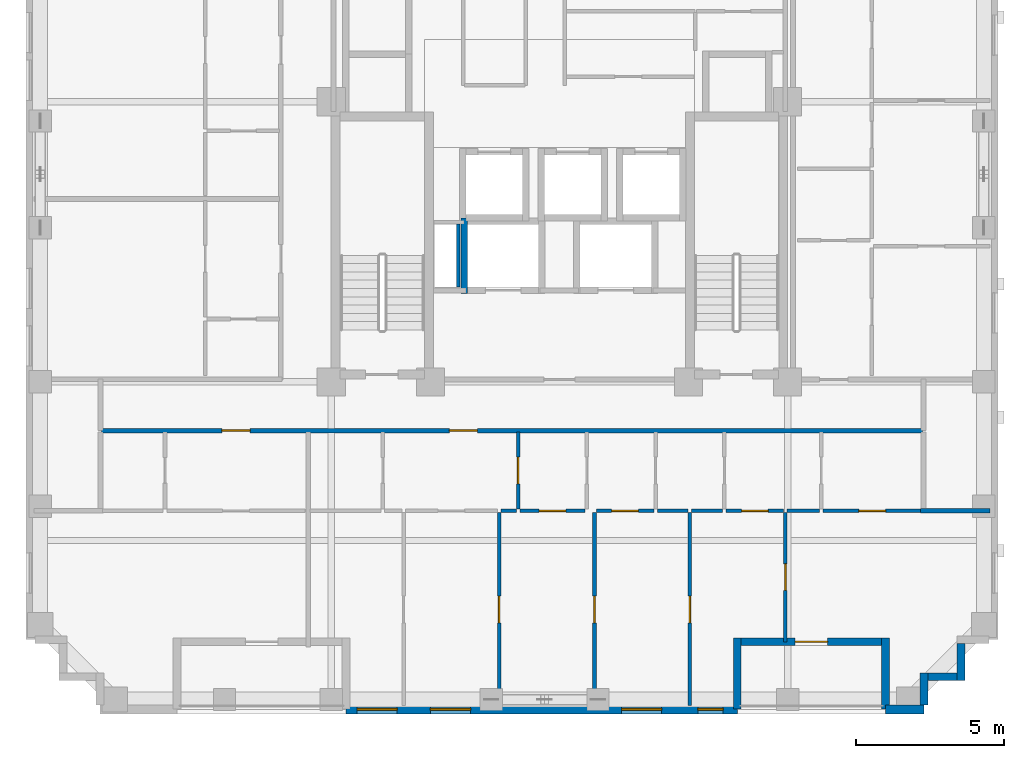
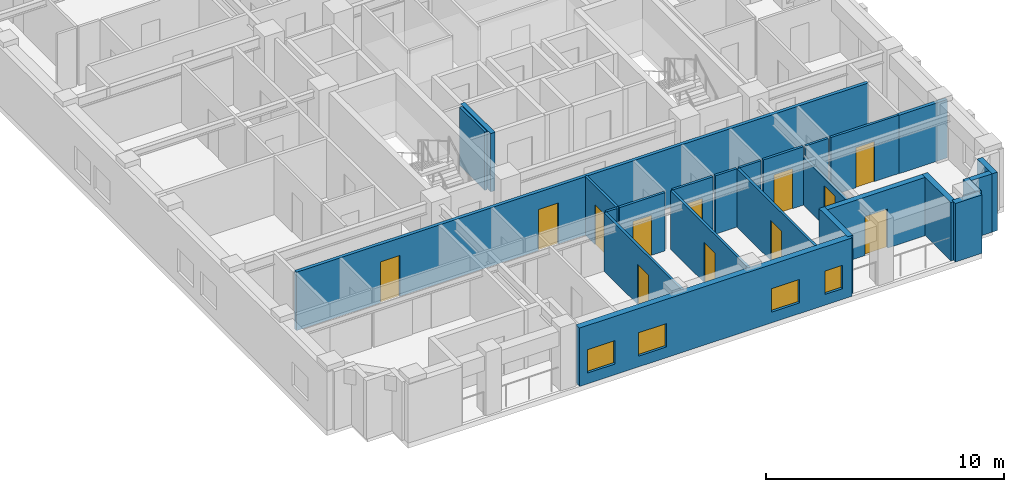
# One storey, part 3 of 11: 25 walls, 12 doors, 4 windows, 16 openings.
"""IFC4 building model written with IfcOpenShell, lengths in metres."""

from ifc_helpers import new_model, si_unit, derived_unit, direction, frame, frame_2d, origin, place, context, subcontext, project, spatial, rectangle, extrude, material, layer, layer_set, type_object, element, fill, save


model = new_model("IFC4")

# Units and contexts
model_context = context("Model", 3, precision=1e-05, world=origin(), true_north=direction((0.0, 1.0)))
body_context = subcontext(model_context, "Body", "Model", "MODEL_VIEW")
ifc_project = project(units=[si_unit("LENGTHUNIT", "METRE"), si_unit("AREAUNIT", "SQUARE_METRE"), si_unit("VOLUMEUNIT", "CUBIC_METRE"), si_unit("PLANEANGLEUNIT", "RADIAN"), si_unit("MASSUNIT", "GRAM", prefix="KILO"), derived_unit("THERMALTRANSMITTANCEUNIT", [(si_unit("MASSUNIT", "GRAM", prefix="KILO"), 1), (si_unit("TIMEUNIT", "SECOND"), -3), (si_unit("THERMODYNAMICTEMPERATUREUNIT", "KELVIN"), -1)])], contexts=[model_context])

# Site, building, storey
site_placement = place(None, origin())
site = spatial("IfcSite", under=ifc_project, at=site_placement, CompositionType="ELEMENT")
building_placement = place(site_placement, origin())
building = spatial("IfcBuilding", under=site, at=building_placement, Name="Korrvale Station Residences", CompositionType="ELEMENT")
storey_placement = place(building_placement, frame((0.0, 0.0, 140.64990234375)))
storey = spatial("IfcBuildingStorey", under=building, at=storey_placement, Name="L40", CompositionType="ELEMENT", Elevation=140.64990234375)

# Wall
ifc_material_1 = material(Name="Precast concrete C45/55", Category="concrete")
ifc_layer_1 = layer(ifc_material_1, 0.260009765625, Name="Precast concrete C45/55")
ifc_layer_set_1 = layer_set([ifc_layer_1], Name="Precast concrete C45/55")
wall_type_1 = type_object("IfcWallType", Name="WAL-EXT-LOG260", PredefinedType="SOLIDWALL", material=ifc_layer_set_1)
wall_1_placement = place(storey_placement, frame((36.5, 3.9599609375, 0.0), z_axis=(0.0, 0.0, 1.0), x_axis=(0.0, 1.0, 0.0)))
element("IfcWall", 1, at=wall_1_placement, inside=storey, type_object=wall_type_1, Name="L40 Recessed Loggia Wall BAL-L40-S2-L", PredefinedType="SOLIDWALL", context=body_context, shape_type="SweptSolid", body=[
    extrude(rectangle(XDim=2.400146484375, YDim=0.260009765625, at=frame_2d((1.2001953125, 0.0))), origin(), (0.0, 0.0, 1.0), 2.989990234375),
])

# Wall, opening, door
wall_2_placement = place(storey_placement, frame((36.365966796875, 6.22998046875, 0.0), z_axis=(0.0, 0.0, 1.0), x_axis=(-1.0, 0.0, 0.0)))
wall_2 = element("IfcWall", 2, at=wall_2_placement, inside=storey, type_object=wall_type_1, Name="L40 Recessed Loggia Wall BAL-L40-S2-B", PredefinedType="SOLIDWALL", context=body_context, shape_type="SweptSolid", body=[
    extrude(rectangle(XDim=4.73193359375, YDim=0.260009765625, at=frame_2d((2.365966796875, 0.0))), origin(), (0.0, 0.0, 1.0), 2.989990234375),
])
opening_1_placement = place(wall_2_placement, frame((1.81591796875, 0.0, 0.0)))
opening_1 = element("IfcOpeningElement", 3, at=opening_1_placement, cuts=wall_2, Name="Opening BD-01", PredefinedType="OPENING", context=body_context, shape_type="SweptSolid", body=[
    extrude(rectangle(XDim=1.10009765625, YDim=2.0, at=frame_2d((0.550048828125, 1.0))), frame((0.0, 0.14013671875, 0.0), z_axis=(0.0, -1.0, 0.0), x_axis=(1.0, 0.0, 0.0)), (0.0, 0.0, 1.0), 0.280029296875),
])
ifc_material_2 = material(Name="Exterior thermally broken aluminium glazed balcony door", Category="aluminium")
door_type_1 = type_object("IfcDoorType", Name="DR-EXT-BAL", OperationType="NOTDEFINED", PredefinedType="DOOR", material=ifc_material_2)
door_1_placement = place(opening_1_placement, origin())
door_1 = element("IfcDoor", 4, at=door_1_placement, inside=storey, type_object=door_type_1, Name="L40 Loggia Balcony Door BAL-L40-S2", OperationType="SINGLE_SWING_RIGHT", OverallHeight=2.0, OverallWidth=1.10009765625, PredefinedType="DOOR", context=body_context, shape_type="SweptSolid", body=[
    extrude(rectangle(XDim=1.10009765625, YDim=2.0, at=frame_2d((0.550048828125, 1.0))), frame((0.0, 0.02490234375, 0.0), z_axis=(0.0, -1.0, 0.0), x_axis=(1.0, 0.0, 0.0)), (0.0, 0.0, 1.0), 0.050048828125),
])
fill(opening_1, door_1)

# Walls
wall_3_placement = place(storey_placement, frame((31.5, 6.360107421875, 0.0), z_axis=(0.0, 0.0, 1.0), x_axis=(0.0, -1.0, 0.0)))
element("IfcWall", 5, at=wall_3_placement, inside=storey, type_object=wall_type_1, Name="L40 Recessed Loggia Wall BAL-L40-S2-R", PredefinedType="SOLIDWALL", context=body_context, shape_type="SweptSolid", body=[
    extrude(rectangle(XDim=2.400146484375, YDim=0.260009765625, at=frame_2d((1.2001953125, 0.0))), origin(), (0.0, 0.0, 1.0), 2.989990234375),
])
wall_4_placement = place(storey_placement, frame((39.050048828125, 6.16796875, 0.0), z_axis=(0.0, 0.0, 1.0), x_axis=(0.0, -1.0, 0.0)))
element("IfcWall", 6, at=wall_4_placement, inside=storey, type_object=wall_type_1, Name="L40 Serrated Corner Precast Step SE-2", PredefinedType="SOLIDWALL", context=body_context, shape_type="SweptSolid", body=[
    extrude(rectangle(XDim=1.248046875, YDim=0.260009765625, at=frame_2d((0.6240234375, 0.0))), origin(), (0.0, 0.0, 1.0), 2.989990234375),
])
wall_5_placement = place(storey_placement, frame((38.91796875, 5.050048828125, 0.0), z_axis=(0.0, 0.0, 1.0), x_axis=(-1.0, 0.0, 0.0)))
element("IfcWall", 7, at=wall_5_placement, inside=storey, type_object=wall_type_1, Name="L40 Serrated Corner Precast Step SE-3", PredefinedType="SOLIDWALL", context=body_context, shape_type="SweptSolid", body=[
    extrude(rectangle(XDim=0.986083984375, YDim=0.260009765625, at=frame_2d((0.4931640625, 0.0))), origin(), (0.0, 0.0, 1.0), 2.989990234375),
])
wall_6_placement = place(storey_placement, frame((37.800048828125, 5.179931640625, 0.0), z_axis=(0.0, 0.0, 1.0), x_axis=(0.0, -1.0, 0.0)))
element("IfcWall", 8, at=wall_6_placement, inside=storey, type_object=wall_type_1, Name="L40 Serrated Corner Precast Step SE-4", PredefinedType="SOLIDWALL", context=body_context, shape_type="SweptSolid", body=[
    extrude(rectangle(XDim=1.077880859375, YDim=0.260009765625, at=frame_2d((0.5390625, 0.0))), origin(), (0.0, 0.0, 1.0), 2.989990234375),
])
ifc_layer_2 = layer(ifc_material_1, 0.300048828125, Name="Precast concrete C45/55")
ifc_layer_set_2 = layer_set([ifc_layer_2], Name="Precast concrete C45/55")
wall_type_2 = type_object("IfcWallType", Name="WAL-EXT-PC300", PredefinedType="SOLIDWALL", material=ifc_layer_set_2)
wall_7_placement = place(storey_placement, frame((37.800048828125, 3.949951171875, 0.0), z_axis=(0.0, 0.0, 1.0), x_axis=(-1.0, 0.0, 0.0)))
element("IfcWall", 9, at=wall_7_placement, inside=storey, type_object=wall_type_2, Name="L40 South Exterior Precast Wall 1", PredefinedType="SOLIDWALL", context=body_context, shape_type="SweptSolid", body=[
    extrude(rectangle(XDim=1.300048828125, YDim=0.300048828125, at=frame_2d((0.64990234375, 0.0))), origin(), (0.0, 0.0, 1.0), 2.989990234375),
])

# Wall, openings, windows
wall_8_placement = place(storey_placement, frame((31.5, 3.949951171875, 0.0), z_axis=(0.0, 0.0, 1.0), x_axis=(-1.0, 0.0, 0.0)))
wall_8 = element("IfcWall", 10, at=wall_8_placement, inside=storey, type_object=wall_type_2, Name="L40 South Exterior Precast Wall 2", PredefinedType="SOLIDWALL", context=body_context, shape_type="SweptSolid", body=[
    extrude(rectangle(XDim=13.199951171875, YDim=0.300048828125, at=frame_2d((6.60009765625, 0.0))), origin(), (0.0, 0.0, 1.0), 2.989990234375),
])
opening_2_placement = place(wall_8_placement, frame((11.47607421875, 0.0, 0.550048828125)))
opening_2 = element("IfcOpeningElement", 11, at=opening_2_placement, cuts=wall_8, Name="Opening W-10", PredefinedType="OPENING", context=body_context, shape_type="SweptSolid", body=[
    extrude(rectangle(XDim=1.35009765625, YDim=1.199951171875, at=frame_2d((0.675048828125, 0.60009765625))), frame((0.0, 0.16015625, 0.0), z_axis=(0.0, -1.0, 0.0), x_axis=(1.0, 0.0, 0.0)), (0.0, 0.0, 1.0), 0.320068359375),
])
opening_3_placement = place(wall_8_placement, frame((9.0, 0.0, 0.550048828125)))
opening_3 = element("IfcOpeningElement", 12, at=opening_3_placement, cuts=wall_8, Name="Opening W-10", PredefinedType="OPENING", context=body_context, shape_type="SweptSolid", body=[
    extrude(rectangle(XDim=1.35009765625, YDim=1.199951171875, at=frame_2d((0.675048828125, 0.60009765625))), frame((0.0, 0.16015625, 0.0), z_axis=(0.0, -1.0, 0.0), x_axis=(1.0, 0.0, 0.0)), (0.0, 0.0, 1.0), 0.320068359375),
])
opening_4_placement = place(wall_8_placement, frame((2.550048828125, 0.0, 0.550048828125)))
opening_4 = element("IfcOpeningElement", 13, at=opening_4_placement, cuts=wall_8, Name="Opening W-10", PredefinedType="OPENING", context=body_context, shape_type="SweptSolid", body=[
    extrude(rectangle(XDim=1.35009765625, YDim=1.199951171875, at=frame_2d((0.675048828125, 0.60009765625))), frame((0.0, 0.16015625, 0.0), z_axis=(0.0, -1.0, 0.0), x_axis=(1.0, 0.0, 0.0)), (0.0, 0.0, 1.0), 0.320068359375),
])
opening_5_placement = place(wall_8_placement, frame((0.47509765625, 0.0, 0.550048828125)))
opening_5 = element("IfcOpeningElement", 14, at=opening_5_placement, cuts=wall_8, Name="Opening W-11", PredefinedType="OPENING", context=body_context, shape_type="SweptSolid", body=[
    extrude(rectangle(XDim=0.85009765625, YDim=1.199951171875, at=frame_2d((0.425048828125, 0.60009765625))), frame((0.0, 0.16015625, 0.0), z_axis=(0.0, -1.0, 0.0), x_axis=(1.0, 0.0, 0.0)), (0.0, 0.0, 1.0), 0.320068359375),
])
ifc_material_3 = material(Name="Thermally broken aluminium frame with triple low-e glazing", Category="aluminium")
window_type_1 = type_object("IfcWindowType", Name="WIN-W10", PartitioningType="SINGLE_PANEL", PredefinedType="WINDOW", material=ifc_material_3)
window_1_placement = place(opening_2_placement, origin())
window_1 = element("IfcWindow", 15, at=window_1_placement, inside=storey, type_object=window_type_1, Name="L40 Punched Window 02", OverallHeight=1.199951171875, OverallWidth=1.35009765625, PartitioningType="SINGLE_PANEL", PredefinedType="WINDOW", context=body_context, shape_type="SweptSolid", body=[
    extrude(rectangle(XDim=1.35009765625, YDim=1.199951171875, at=frame_2d((0.675048828125, 0.60009765625))), frame((0.0, 0.030029296875, 0.0), z_axis=(0.0, -1.0, 0.0), x_axis=(1.0, 0.0, 0.0)), (0.0, 0.0, 1.0), 0.06005859375),
])
fill(opening_2, window_1)
window_2_placement = place(opening_3_placement, origin())
window_2 = element("IfcWindow", 16, at=window_2_placement, inside=storey, type_object=window_type_1, Name="L40 Punched Window 03", OverallHeight=1.199951171875, OverallWidth=1.35009765625, PartitioningType="SINGLE_PANEL", PredefinedType="WINDOW", context=body_context, shape_type="SweptSolid", body=[
    extrude(rectangle(XDim=1.35009765625, YDim=1.199951171875, at=frame_2d((0.675048828125, 0.60009765625))), frame((0.0, 0.030029296875, 0.0), z_axis=(0.0, -1.0, 0.0), x_axis=(1.0, 0.0, 0.0)), (0.0, 0.0, 1.0), 0.06005859375),
])
fill(opening_3, window_2)
window_3_placement = place(opening_4_placement, origin())
window_3 = element("IfcWindow", 17, at=window_3_placement, inside=storey, type_object=window_type_1, Name="L40 Punched Window 04", OverallHeight=1.199951171875, OverallWidth=1.35009765625, PartitioningType="SINGLE_PANEL", PredefinedType="WINDOW", context=body_context, shape_type="SweptSolid", body=[
    extrude(rectangle(XDim=1.35009765625, YDim=1.199951171875, at=frame_2d((0.675048828125, 0.60009765625))), frame((0.0, 0.030029296875, 0.0), z_axis=(0.0, -1.0, 0.0), x_axis=(1.0, 0.0, 0.0)), (0.0, 0.0, 1.0), 0.06005859375),
])
fill(opening_4, window_3)
window_type_2 = type_object("IfcWindowType", Name="WIN-W11", PartitioningType="SINGLE_PANEL", PredefinedType="WINDOW", material=ifc_material_3)
window_4_placement = place(opening_5_placement, origin())
window_4 = element("IfcWindow", 18, at=window_4_placement, inside=storey, type_object=window_type_2, Name="L40 Punched Window 05", OverallHeight=1.199951171875, OverallWidth=0.85009765625, PartitioningType="SINGLE_PANEL", PredefinedType="WINDOW", context=body_context, shape_type="SweptSolid", body=[
    extrude(rectangle(XDim=0.85009765625, YDim=1.199951171875, at=frame_2d((0.425048828125, 0.60009765625))), frame((0.0, 0.030029296875, 0.0), z_axis=(0.0, -1.0, 0.0), x_axis=(1.0, 0.0, 0.0)), (0.0, 0.0, 1.0), 0.06005859375),
])
fill(opening_5, window_4)

# Wall
ifc_material_4 = material(Name="Acoustic steel-stud gypsum board partition", Category="steel")
ifc_layer_3 = layer(ifc_material_4, 0.1201171875, Name="Acoustic steel-stud gypsum board partition")
ifc_layer_set_3 = layer_set([ifc_layer_3], Name="Acoustic steel-stud gypsum board partition")
wall_type_3 = type_object("IfcWallType", Name="WAL-PART-125", PredefinedType="PARTITIONING", material=ifc_layer_set_3)
wall_9_placement = place(storey_placement, frame((22.080078125, 18.199951171875, 0.0), z_axis=(0.0, 0.0, 1.0), x_axis=(0.0, 1.0, 0.0)))
element("IfcWall", 19, at=wall_9_placement, inside=storey, type_object=wall_type_3, Name="L40 Core Partition CW-RSWT", PredefinedType="PARTITIONING", context=body_context, shape_type="SweptSolid", body=[
    extrude(rectangle(XDim=2.1201171875, YDim=0.1201171875, at=frame_2d((1.06005859375, 0.0))), origin(), (0.0, 0.0, 1.0), 2.989990234375),
])

# Wall, opening, door
wall_10_placement = place(storey_placement, frame((24.10400390625, 10.7099609375, 0.0), z_axis=(0.0, 0.0, 1.0), x_axis=(0.0, 1.0, 0.0)))
wall_10 = element("IfcWall", 20, at=wall_10_placement, inside=storey, type_object=wall_type_3, Name="L40 Suite Partition U02-V12", PredefinedType="PARTITIONING", context=body_context, shape_type="SweptSolid", body=[
    extrude(rectangle(XDim=2.60009765625, YDim=0.1201171875, at=frame_2d((1.300048828125, 0.0))), origin(), (0.0, 0.0, 1.0), 2.989990234375),
])
opening_6_placement = place(wall_10_placement, frame((0.85009765625, 0.0, 0.0)))
opening_6 = element("IfcOpeningElement", 21, at=opening_6_placement, cuts=wall_10, Name="Opening DI-900", PredefinedType="OPENING", context=body_context, shape_type="SweptSolid", body=[
    extrude(rectangle(XDim=0.89990234375, YDim=2.050048828125, at=frame_2d((0.449951171875, 1.02490234375))), frame((0.0, 0.070068359375, 0.0), z_axis=(0.0, -1.0, 0.0), x_axis=(1.0, 0.0, 0.0)), (0.0, 0.0, 1.0), 0.14013671875),
])
ifc_material_5 = material(Name="Painted solid-core timber interior room door", Category="wood")
door_type_2 = type_object("IfcDoorType", Name="DR-INT-900", OperationType="NOTDEFINED", PredefinedType="DOOR", material=ifc_material_5)
door_2_placement = place(opening_6_placement, origin())
door_2 = element("IfcDoor", 22, at=door_2_placement, inside=storey, type_object=door_type_2, Name="L40 Studio Apartment L40-U02 Kitchen Door", OperationType="SINGLE_SWING_LEFT", OverallHeight=2.050048828125, OverallWidth=0.89990234375, PredefinedType="DOOR", context=body_context, shape_type="SweptSolid", body=[
    extrude(rectangle(XDim=0.89990234375, YDim=2.050048828125, at=frame_2d((0.449951171875, 1.02490234375))), frame((0.0, 0.02490234375, 0.0), z_axis=(0.0, -1.0, 0.0), x_axis=(1.0, 0.0, 0.0)), (0.0, 0.0, 1.0), 0.050048828125),
])
fill(opening_6, door_2)

# Wall
wall_11_placement = place(storey_placement, frame((23.52392578125, 10.64990234375, 0.0), z_axis=(0.0, 0.0, 1.0), x_axis=(1.0, 0.0, 0.0)))
element("IfcWall", 23, at=wall_11_placement, inside=storey, type_object=wall_type_3, Name="L40 Suite Partition U02-H19", PredefinedType="PARTITIONING", context=body_context, shape_type="SweptSolid", body=[
    extrude(rectangle(XDim=0.52001953125, YDim=0.1201171875, at=frame_2d((0.260009765625, 0.0))), origin(), (0.0, 0.0, 1.0), 2.989990234375),
])

# Wall, opening, door
wall_12_placement = place(storey_placement, frame((24.1640625, 10.64990234375, 0.0), z_axis=(0.0, 0.0, 1.0), x_axis=(1.0, 0.0, 0.0)))
wall_12 = element("IfcWall", 24, at=wall_12_placement, inside=storey, type_object=wall_type_3, Name="L40 Suite Partition U02-H29", PredefinedType="PARTITIONING", context=body_context, shape_type="SweptSolid", body=[
    extrude(rectangle(XDim=2.199951171875, YDim=0.1201171875, at=frame_2d((1.10009765625, 0.0))), origin(), (0.0, 0.0, 1.0), 2.989990234375),
])
opening_7_placement = place(wall_12_placement, frame((0.64990234375, 0.0, 0.0)))
opening_7 = element("IfcOpeningElement", 25, at=opening_7_placement, cuts=wall_12, Name="Opening DI-900", PredefinedType="OPENING", context=body_context, shape_type="SweptSolid", body=[
    extrude(rectangle(XDim=0.89990234375, YDim=2.050048828125, at=frame_2d((0.449951171875, 1.02490234375))), frame((0.0, 0.070068359375, 0.0), z_axis=(0.0, -1.0, 0.0), x_axis=(1.0, 0.0, 0.0)), (0.0, 0.0, 1.0), 0.14013671875),
])
door_3_placement = place(opening_7_placement, origin())
door_3 = element("IfcDoor", 26, at=door_3_placement, inside=storey, type_object=door_type_2, Name="L40 Studio Apartment L40-U02 Wardrobe Storage Room Door", OperationType="SINGLE_SWING_RIGHT", OverallHeight=2.050048828125, OverallWidth=0.89990234375, PredefinedType="DOOR", context=body_context, shape_type="SweptSolid", body=[
    extrude(rectangle(XDim=0.89990234375, YDim=2.050048828125, at=frame_2d((0.449951171875, 1.02490234375))), frame((0.0, 0.02490234375, 0.0), z_axis=(0.0, -1.0, 0.0), x_axis=(1.0, 0.0, 0.0)), (0.0, 0.0, 1.0), 0.050048828125),
])
fill(opening_7, door_3)

wall_13_placement = place(storey_placement, frame((26.743896484375, 10.64990234375, 0.0), z_axis=(0.0, 0.0, 1.0), x_axis=(1.0, 0.0, 0.0)))
wall_13 = element("IfcWall", 27, at=wall_13_placement, inside=storey, type_object=wall_type_3, Name="L40 Suite Partition U02-H310", PredefinedType="PARTITIONING", context=body_context, shape_type="SweptSolid", body=[
    extrude(rectangle(XDim=1.940185546875, YDim=0.1201171875, at=frame_2d((0.97021484375, 0.0))), origin(), (0.0, 0.0, 1.0), 2.989990234375),
])
opening_8_placement = place(wall_13_placement, frame((0.52001953125, 0.0, 0.0)))
opening_8 = element("IfcOpeningElement", 28, at=opening_8_placement, cuts=wall_13, Name="Opening DI-900", PredefinedType="OPENING", context=body_context, shape_type="SweptSolid", body=[
    extrude(rectangle(XDim=0.89990234375, YDim=2.050048828125, at=frame_2d((0.449951171875, 1.02490234375))), frame((0.0, 0.070068359375, 0.0), z_axis=(0.0, -1.0, 0.0), x_axis=(1.0, 0.0, 0.0)), (0.0, 0.0, 1.0), 0.14013671875),
])
door_4_placement = place(opening_8_placement, origin())
door_4 = element("IfcDoor", 29, at=door_4_placement, inside=storey, type_object=door_type_2, Name="L40 Studio Apartment L40-U02 Wardrobe Storage Room Door", OperationType="SINGLE_SWING_RIGHT", OverallHeight=2.050048828125, OverallWidth=0.89990234375, PredefinedType="DOOR", context=body_context, shape_type="SweptSolid", body=[
    extrude(rectangle(XDim=0.89990234375, YDim=2.050048828125, at=frame_2d((0.449951171875, 1.02490234375))), frame((0.0, 0.02490234375, 0.0), z_axis=(0.0, -1.0, 0.0), x_axis=(1.0, 0.0, 0.0)), (0.0, 0.0, 1.0), 0.050048828125),
])
fill(opening_8, door_4)

# Walls
wall_14_placement = place(storey_placement, frame((28.803955078125, 10.64990234375, 0.0), z_axis=(0.0, 0.0, 1.0), x_axis=(1.0, 0.0, 0.0)))
element("IfcWall", 30, at=wall_14_placement, inside=storey, type_object=wall_type_3, Name="L40 Suite Partition U02-H410", PredefinedType="PARTITIONING", context=body_context, shape_type="SweptSolid", body=[
    extrude(rectangle(XDim=1.0400390625, YDim=0.1201171875, at=frame_2d((0.52001953125, 0.0))), origin(), (0.0, 0.0, 1.0), 2.989990234375),
])
wall_15_placement = place(storey_placement, frame((29.964111328125, 10.64990234375, 0.0), z_axis=(0.0, 0.0, 1.0), x_axis=(1.0, 0.0, 0.0)))
element("IfcWall", 31, at=wall_15_placement, inside=storey, type_object=wall_type_3, Name="L40 Suite Partition U02-H411", PredefinedType="PARTITIONING", context=body_context, shape_type="SweptSolid", body=[
    extrude(rectangle(XDim=1.039794921875, YDim=0.1201171875, at=frame_2d((0.52001953125, 0.0))), origin(), (0.0, 0.0, 1.0), 2.989990234375),
])

# Wall, opening, door
wall_16_placement = place(storey_placement, frame((31.1240234375, 10.64990234375, 0.0), z_axis=(0.0, 0.0, 1.0), x_axis=(1.0, 0.0, 0.0)))
wall_16 = element("IfcWall", 32, at=wall_16_placement, inside=storey, type_object=wall_type_3, Name="L40 Suite Partition U02-H511", PredefinedType="PARTITIONING", context=body_context, shape_type="SweptSolid", body=[
    extrude(rectangle(XDim=1.93994140625, YDim=0.1201171875, at=frame_2d((0.969970703125, 0.0))), origin(), (0.0, 0.0, 1.0), 2.989990234375),
])
opening_9_placement = place(wall_16_placement, frame((0.52001953125, 0.0, 0.0)))
opening_9 = element("IfcOpeningElement", 33, at=opening_9_placement, cuts=wall_16, Name="Opening DI-900", PredefinedType="OPENING", context=body_context, shape_type="SweptSolid", body=[
    extrude(rectangle(XDim=0.89990234375, YDim=2.050048828125, at=frame_2d((0.449951171875, 1.02490234375))), frame((0.0, 0.070068359375, 0.0), z_axis=(0.0, -1.0, 0.0), x_axis=(1.0, 0.0, 0.0)), (0.0, 0.0, 1.0), 0.14013671875),
])
door_5_placement = place(opening_9_placement, origin())
door_5 = element("IfcDoor", 34, at=door_5_placement, inside=storey, type_object=door_type_2, Name="L40 Studio Apartment L40-U02 Utility and Laundry Room Door", OperationType="SINGLE_SWING_LEFT", OverallHeight=2.050048828125, OverallWidth=0.89990234375, PredefinedType="DOOR", context=body_context, shape_type="SweptSolid", body=[
    extrude(rectangle(XDim=0.89990234375, YDim=2.050048828125, at=frame_2d((0.449951171875, 1.02490234375))), frame((0.0, 0.02490234375, 0.0), z_axis=(0.0, -1.0, 0.0), x_axis=(1.0, 0.0, 0.0)), (0.0, 0.0, 1.0), 0.050048828125),
])
fill(opening_9, door_5)

# Wall
wall_17_placement = place(storey_placement, frame((33.18408203125, 10.64990234375, 0.0), z_axis=(0.0, 0.0, 1.0), x_axis=(1.0, 0.0, 0.0)))
element("IfcWall", 35, at=wall_17_placement, inside=storey, type_object=wall_type_3, Name="L40 Suite Partition U02-H512", PredefinedType="PARTITIONING", context=body_context, shape_type="SweptSolid", body=[
    extrude(rectangle(XDim=1.08984375, YDim=0.1201171875, at=frame_2d((0.544921875, 0.0))), origin(), (0.0, 0.0, 1.0), 2.989990234375),
])

# Wall, opening, door
wall_18_placement = place(storey_placement, frame((34.39404296875, 10.64990234375, 0.0), z_axis=(0.0, 0.0, 1.0), x_axis=(1.0, 0.0, 0.0)))
wall_18 = element("IfcWall", 36, at=wall_18_placement, inside=storey, type_object=wall_type_3, Name="L40 Suite Partition U02-H612", PredefinedType="PARTITIONING", context=body_context, shape_type="SweptSolid", body=[
    extrude(rectangle(XDim=3.325927734375, YDim=0.1201171875, at=frame_2d((1.6630859375, 0.0))), origin(), (0.0, 0.0, 1.0), 2.989990234375),
])
opening_10_placement = place(wall_18_placement, frame((1.212890625, 0.0, 0.0)))
opening_10 = element("IfcOpeningElement", 37, at=opening_10_placement, cuts=wall_18, Name="Opening DI-900", PredefinedType="OPENING", context=body_context, shape_type="SweptSolid", body=[
    extrude(rectangle(XDim=0.89990234375, YDim=2.050048828125, at=frame_2d((0.449951171875, 1.02490234375))), frame((0.0, 0.070068359375, 0.0), z_axis=(0.0, -1.0, 0.0), x_axis=(1.0, 0.0, 0.0)), (0.0, 0.0, 1.0), 0.14013671875),
])
door_6_placement = place(opening_10_placement, origin())
door_6 = element("IfcDoor", 38, at=door_6_placement, inside=storey, type_object=door_type_2, Name="L40 Studio Apartment L40-U02 Storage Closet 2 Door", OperationType="SINGLE_SWING_RIGHT", OverallHeight=2.050048828125, OverallWidth=0.89990234375, PredefinedType="DOOR", context=body_context, shape_type="SweptSolid", body=[
    extrude(rectangle(XDim=0.89990234375, YDim=2.050048828125, at=frame_2d((0.449951171875, 1.02490234375))), frame((0.0, 0.02490234375, 0.0), z_axis=(0.0, -1.0, 0.0), x_axis=(1.0, 0.0, 0.0)), (0.0, 0.0, 1.0), 0.050048828125),
])
fill(opening_10, door_6)

wall_19_placement = place(storey_placement, frame((23.464111328125, 4.080078125, 0.0), z_axis=(0.0, 0.0, 1.0), x_axis=(0.0, 1.0, 0.0)))
wall_19 = element("IfcWall", 39, at=wall_19_placement, inside=storey, type_object=wall_type_3, Name="L40 Suite Partition U02-V89", PredefinedType="PARTITIONING", context=body_context, shape_type="SweptSolid", body=[
    extrude(rectangle(XDim=6.510009765625, YDim=0.1201171875, at=frame_2d((3.2548828125, 0.0))), origin(), (0.0, 0.0, 1.0), 2.989990234375),
])
opening_11_placement = place(wall_19_placement, frame((2.7900390625, 0.0, 0.0)))
opening_11 = element("IfcOpeningElement", 40, at=opening_11_placement, cuts=wall_19, Name="Opening DI-900", PredefinedType="OPENING", context=body_context, shape_type="SweptSolid", body=[
    extrude(rectangle(XDim=0.89990234375, YDim=2.050048828125, at=frame_2d((0.449951171875, 1.02490234375))), frame((0.0, 0.070068359375, 0.0), z_axis=(0.0, -1.0, 0.0), x_axis=(1.0, 0.0, 0.0)), (0.0, 0.0, 1.0), 0.14013671875),
])
door_7_placement = place(opening_11_placement, origin())
door_7 = element("IfcDoor", 41, at=door_7_placement, inside=storey, type_object=door_type_2, Name="L40 Studio Apartment L40-U02 Formal Dining Room Door", OperationType="SINGLE_SWING_RIGHT", OverallHeight=2.050048828125, OverallWidth=0.89990234375, PredefinedType="DOOR", context=body_context, shape_type="SweptSolid", body=[
    extrude(rectangle(XDim=0.89990234375, YDim=2.050048828125, at=frame_2d((0.449951171875, 1.02490234375))), frame((0.0, 0.02490234375, 0.0), z_axis=(0.0, -1.0, 0.0), x_axis=(1.0, 0.0, 0.0)), (0.0, 0.0, 1.0), 0.050048828125),
])
fill(opening_11, door_7)

wall_20_placement = place(storey_placement, frame((26.68408203125, 4.080078125, 0.0), z_axis=(0.0, 0.0, 1.0), x_axis=(0.0, 1.0, 0.0)))
wall_20 = element("IfcWall", 42, at=wall_20_placement, inside=storey, type_object=wall_type_3, Name="L40 Suite Partition U02-V910", PredefinedType="PARTITIONING", context=body_context, shape_type="SweptSolid", body=[
    extrude(rectangle(XDim=6.510009765625, YDim=0.1201171875, at=frame_2d((3.2548828125, 0.0))), origin(), (0.0, 0.0, 1.0), 2.989990234375),
])
opening_12_placement = place(wall_20_placement, frame((2.7900390625, 0.0, 0.0)))
opening_12 = element("IfcOpeningElement", 43, at=opening_12_placement, cuts=wall_20, Name="Opening DI-900", PredefinedType="OPENING", context=body_context, shape_type="SweptSolid", body=[
    extrude(rectangle(XDim=0.89990234375, YDim=2.050048828125, at=frame_2d((0.449951171875, 1.02490234375))), frame((0.0, 0.070068359375, 0.0), z_axis=(0.0, -1.0, 0.0), x_axis=(1.0, 0.0, 0.0)), (0.0, 0.0, 1.0), 0.14013671875),
])
door_8_placement = place(opening_12_placement, origin())
door_8 = element("IfcDoor", 44, at=door_8_placement, inside=storey, type_object=door_type_2, Name="L40 Studio Apartment L40-U02 Walk-In Wardrobe Door", OperationType="SINGLE_SWING_LEFT", OverallHeight=2.050048828125, OverallWidth=0.89990234375, PredefinedType="DOOR", context=body_context, shape_type="SweptSolid", body=[
    extrude(rectangle(XDim=0.89990234375, YDim=2.050048828125, at=frame_2d((0.449951171875, 1.02490234375))), frame((0.0, 0.02490234375, 0.0), z_axis=(0.0, -1.0, 0.0), x_axis=(1.0, 0.0, 0.0)), (0.0, 0.0, 1.0), 0.050048828125),
])
fill(opening_12, door_8)

wall_21_placement = place(storey_placement, frame((29.904052734375, 4.080078125, 0.0), z_axis=(0.0, 0.0, 1.0), x_axis=(0.0, 1.0, 0.0)))
wall_21 = element("IfcWall", 45, at=wall_21_placement, inside=storey, type_object=wall_type_3, Name="L40 Suite Partition U02-V1011", PredefinedType="PARTITIONING", context=body_context, shape_type="SweptSolid", body=[
    extrude(rectangle(XDim=6.510009765625, YDim=0.1201171875, at=frame_2d((3.2548828125, 0.0))), origin(), (0.0, 0.0, 1.0), 2.989990234375),
])
opening_13_placement = place(wall_21_placement, frame((2.7900390625, 0.0, 0.0)))
opening_13 = element("IfcOpeningElement", 46, at=opening_13_placement, cuts=wall_21, Name="Opening DI-900", PredefinedType="OPENING", context=body_context, shape_type="SweptSolid", body=[
    extrude(rectangle(XDim=0.89990234375, YDim=2.050048828125, at=frame_2d((0.449951171875, 1.02490234375))), frame((0.0, 0.070068359375, 0.0), z_axis=(0.0, -1.0, 0.0), x_axis=(1.0, 0.0, 0.0)), (0.0, 0.0, 1.0), 0.14013671875),
])
door_9_placement = place(opening_13_placement, origin())
door_9 = element("IfcDoor", 47, at=door_9_placement, inside=storey, type_object=door_type_2, Name="L40 Studio Apartment L40-U02 Formal Dining Room Door", OperationType="SINGLE_SWING_RIGHT", OverallHeight=2.050048828125, OverallWidth=0.89990234375, PredefinedType="DOOR", context=body_context, shape_type="SweptSolid", body=[
    extrude(rectangle(XDim=0.89990234375, YDim=2.050048828125, at=frame_2d((0.449951171875, 1.02490234375))), frame((0.0, 0.02490234375, 0.0), z_axis=(0.0, -1.0, 0.0), x_axis=(1.0, 0.0, 0.0)), (0.0, 0.0, 1.0), 0.050048828125),
])
fill(opening_13, door_9)

wall_22_placement = place(storey_placement, frame((33.1240234375, 6.22998046875, 0.0), z_axis=(0.0, 0.0, 1.0), x_axis=(0.0, 1.0, 0.0)))
wall_22 = element("IfcWall", 48, at=wall_22_placement, inside=storey, type_object=wall_type_3, Name="L40 Suite Partition U02-V1112", PredefinedType="PARTITIONING", context=body_context, shape_type="SweptSolid", body=[
    extrude(rectangle(XDim=4.360107421875, YDim=0.1201171875, at=frame_2d((2.18017578125, 0.0))), origin(), (0.0, 0.0, 1.0), 2.426025390625),
])
opening_14_placement = place(wall_22_placement, frame((1.72998046875, 0.0, 0.0)))
opening_14 = element("IfcOpeningElement", 49, at=opening_14_placement, cuts=wall_22, Name="Opening DI-900", PredefinedType="OPENING", context=body_context, shape_type="SweptSolid", body=[
    extrude(rectangle(XDim=0.89990234375, YDim=2.050048828125, at=frame_2d((0.449951171875, 1.02490234375))), frame((0.0, 0.070068359375, 0.0), z_axis=(0.0, -1.0, 0.0), x_axis=(1.0, 0.0, 0.0)), (0.0, 0.0, 1.0), 0.14013671875),
])
door_10_placement = place(opening_14_placement, origin())
door_10 = element("IfcDoor", 50, at=door_10_placement, inside=storey, type_object=door_type_2, Name="L40 Studio Apartment L40-U02 Formal Dining Room Door", OperationType="SINGLE_SWING_LEFT", OverallHeight=2.050048828125, OverallWidth=0.89990234375, PredefinedType="DOOR", context=body_context, shape_type="SweptSolid", body=[
    extrude(rectangle(XDim=0.89990234375, YDim=2.050048828125, at=frame_2d((0.449951171875, 1.02490234375))), frame((0.0, 0.02490234375, 0.0), z_axis=(0.0, -1.0, 0.0), x_axis=(1.0, 0.0, 0.0)), (0.0, 0.0, 1.0), 0.050048828125),
])
fill(opening_14, door_10)

# Wall
ifc_material_6 = material(Name="Fire-rated twin-stud gypsum and mineral wool shaftwall assembly", Category="gypsum")
ifc_layer_4 = layer(ifc_material_6, 0.159912109375, Name="Fire-rated twin-stud gypsum and mineral wool shaftwall assembly")
ifc_layer_set_4 = layer_set([ifc_layer_4], Name="Fire-rated twin-stud gypsum and mineral wool shaftwall assembly")
wall_type_4 = type_object("IfcWallType", Name="WAL-PART-200", PredefinedType="PARTITIONING", material=ifc_layer_set_4)
wall_23_placement = place(storey_placement, frame((37.679931640625, 10.64990234375, 0.0), z_axis=(0.0, 0.0, 1.0), x_axis=(1.0, 0.0, 0.0)))
element("IfcWall", 51, at=wall_23_placement, inside=storey, type_object=wall_type_4, Name="L40 Corner Step Wall U02-R", PredefinedType="PARTITIONING", context=body_context, shape_type="SweptSolid", body=[
    extrude(rectangle(XDim=2.340087890625, YDim=0.159912109375, at=frame_2d((1.169921875, 0.0))), origin(), (0.0, 0.0, 1.0), 2.989990234375),
])

# Wall, openings, doors
wall_24_placement = place(storey_placement, frame((10.050048828125, 13.35009765625, 0.0), z_axis=(0.0, 0.0, 1.0), x_axis=(1.0, 0.0, 0.0)))
wall_24 = element("IfcWall", 52, at=wall_24_placement, inside=storey, type_object=wall_type_4, Name="L40 Rated Corridor Wall S", PredefinedType="PARTITIONING", context=body_context, shape_type="SweptSolid", body=[
    extrude(rectangle(XDim=27.699951171875, YDim=0.159912109375, at=frame_2d((13.85009765625, 0.0))), origin(), (0.0, 0.0, 1.0), 2.989990234375),
])
opening_15_placement = place(wall_24_placement, frame((4.06298828125, 0.0, 0.0)))
opening_15 = element("IfcOpeningElement", 53, at=opening_15_placement, cuts=wall_24, Name="Opening UD-950", PredefinedType="OPENING", context=body_context, shape_type="SweptSolid", body=[
    extrude(rectangle(XDim=0.949951171875, YDim=2.10009765625, at=frame_2d((0.47509765625, 1.050048828125))), frame((0.0, 0.08984375, 0.0), z_axis=(0.0, -1.0, 0.0), x_axis=(1.0, 0.0, 0.0)), (0.0, 0.0, 1.0), 0.179931640625),
])
opening_16_placement = place(wall_24_placement, frame((11.735107421875, 0.0, 0.0)))
opening_16 = element("IfcOpeningElement", 54, at=opening_16_placement, cuts=wall_24, Name="Opening UD-950", PredefinedType="OPENING", context=body_context, shape_type="SweptSolid", body=[
    extrude(rectangle(XDim=0.949951171875, YDim=2.10009765625, at=frame_2d((0.47509765625, 1.050048828125))), frame((0.0, 0.08984375, 0.0), z_axis=(0.0, -1.0, 0.0), x_axis=(1.0, 0.0, 0.0)), (0.0, 0.0, 1.0), 0.179931640625),
])
ifc_material_7 = material(Name="Solid-core acoustic oak apartment entrance door", Category="timber")
door_type_3 = type_object("IfcDoorType", Name="DR-UNIT-950", OperationType="NOTDEFINED", PredefinedType="DOOR", material=ifc_material_7)
door_11_placement = place(opening_15_placement, origin())
door_11 = element("IfcDoor", 55, at=door_11_placement, inside=storey, type_object=door_type_3, Name="L40 Apartment L40-U01 Entrance Door", OperationType="SINGLE_SWING_LEFT", OverallHeight=2.10009765625, OverallWidth=0.949951171875, PredefinedType="DOOR", context=body_context, shape_type="SweptSolid", body=[
    extrude(rectangle(XDim=0.949951171875, YDim=2.10009765625, at=frame_2d((0.47509765625, 1.050048828125))), frame((0.0, 0.02490234375, 0.0), z_axis=(0.0, -1.0, 0.0), x_axis=(1.0, 0.0, 0.0)), (0.0, 0.0, 1.0), 0.050048828125),
])
fill(opening_15, door_11)
door_12_placement = place(opening_16_placement, origin())
door_12 = element("IfcDoor", 56, at=door_12_placement, inside=storey, type_object=door_type_3, Name="L40 Apartment L40-U02 Entrance Door", OperationType="SINGLE_SWING_RIGHT", OverallHeight=2.10009765625, OverallWidth=0.949951171875, PredefinedType="DOOR", context=body_context, shape_type="SweptSolid", body=[
    extrude(rectangle(XDim=0.949951171875, YDim=2.10009765625, at=frame_2d((0.47509765625, 1.050048828125))), frame((0.0, 0.02490234375, 0.0), z_axis=(0.0, -1.0, 0.0), x_axis=(1.0, 0.0, 0.0)), (0.0, 0.0, 1.0), 0.050048828125),
])
fill(opening_16, door_12)

# Wall
ifc_material_8 = material(Name="Concrete C60/75", Category="concrete")
ifc_layer_5 = layer(ifc_material_8, 0.219970703125, Name="Concrete C60/75")
ifc_layer_set_5 = layer_set([ifc_layer_5], Name="Concrete C60/75")
wall_type_5 = type_object("IfcWallType", Name="WAL-SHAFT-220-C60", PredefinedType="SHEAR", material=ifc_layer_set_5)
wall_25_placement = place(storey_placement, frame((22.2900390625, 17.97998046875, 0.0), z_axis=(0.0, 0.0, 1.0), x_axis=(0.0, 1.0, 0.0)))
element("IfcWall", 57, at=wall_25_placement, inside=storey, type_object=wall_type_5, Name="L40 Elevator FFL-1 Hoistway Wall West", PredefinedType="SHEAR", context=body_context, shape_type="SweptSolid", body=[
    extrude(rectangle(XDim=2.5400390625, YDim=0.219970703125, at=frame_2d((1.27001953125, 0.0))), origin(), (0.0, 0.0, 1.0), 2.989990234375),
])

save(model, "model.ifc")
